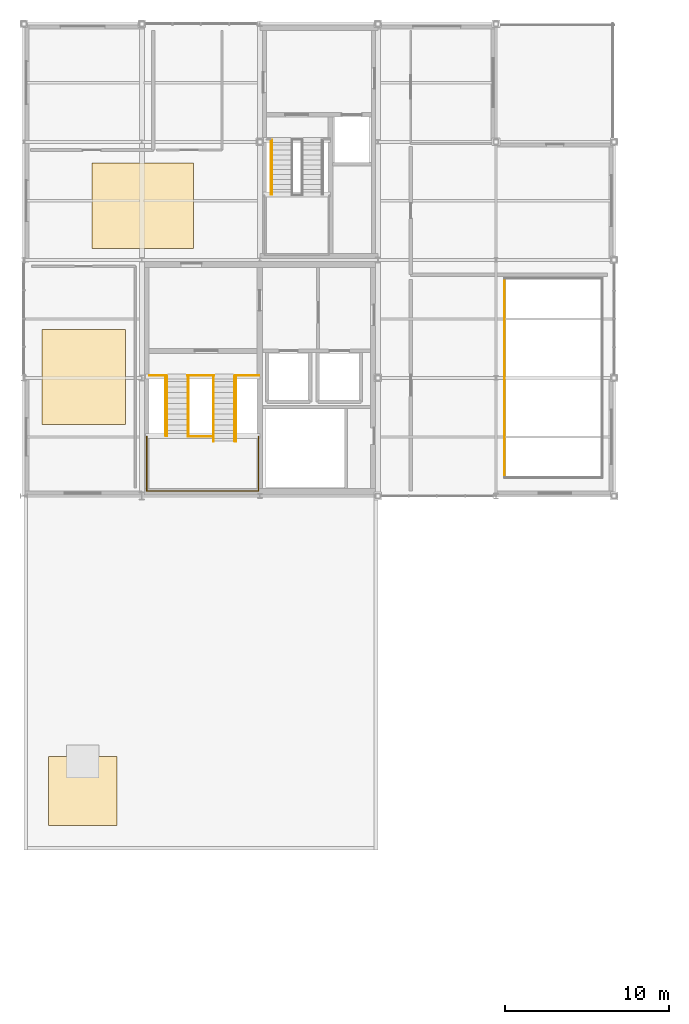
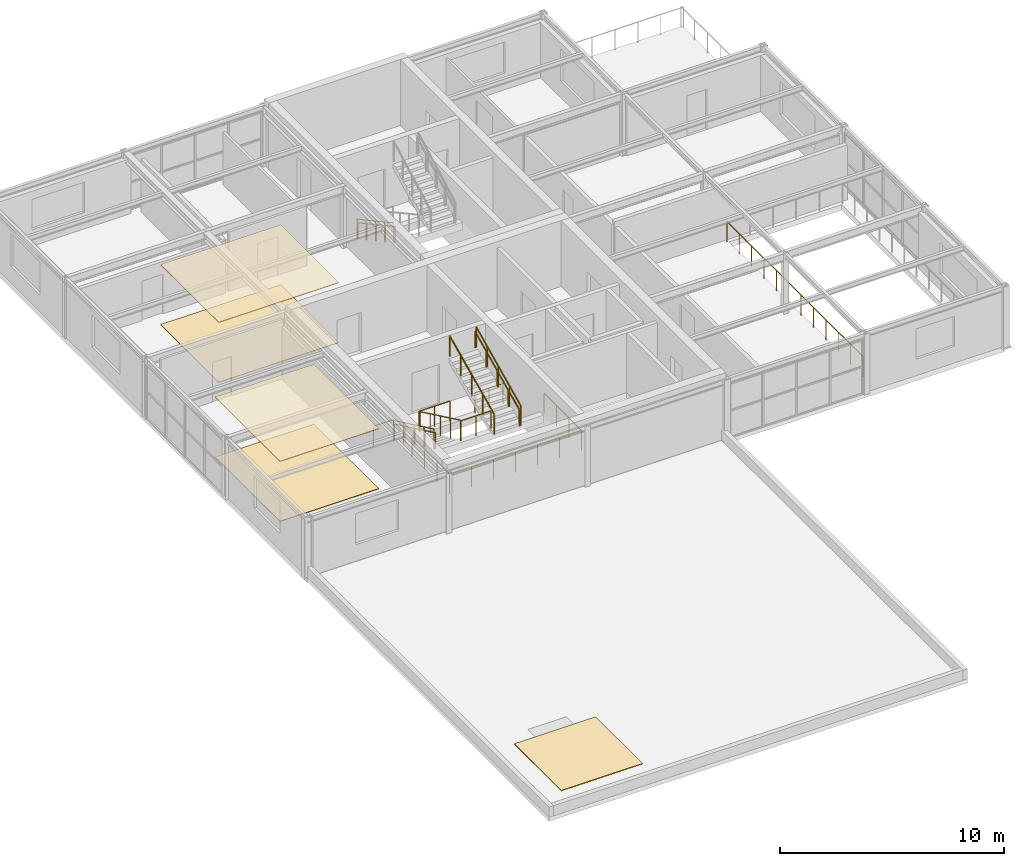
# One storey, part 20 of 22: 14 railings, 5 coverings.
"""IFC4 building model written with IfcOpenShell, lengths in metres."""

from ifc_helpers import new_model, si_unit, direction, frame, origin, origin_2d, place, context, subcontext, project, spatial, rectangle, circle, extrude, material, layer, layer_set, type_object, element, save


model = new_model("IFC4")

# Units and contexts
model_context = context("Model", 3, precision=1e-05, world=origin(), true_north=direction((0.0, 1.0)))
body_context = subcontext(model_context, "Body", "Model", "MODEL_VIEW")
ifc_project = project(units=[si_unit("LENGTHUNIT", "METRE"), si_unit("AREAUNIT", "SQUARE_METRE"), si_unit("VOLUMEUNIT", "CUBIC_METRE"), si_unit("PLANEANGLEUNIT", "RADIAN"), si_unit("MASSUNIT", "GRAM", prefix="KILO")], contexts=[model_context])

# Site, building, storey
site_placement = place(None, origin())
site = spatial("IfcSite", under=ifc_project, at=site_placement, CompositionType="ELEMENT")
building_placement = place(site_placement, origin())
building = spatial("IfcBuilding", under=site, at=building_placement, Name="Leyfeld Transit Interchange", CompositionType="ELEMENT")
storey_placement = place(building_placement, frame((0.0, 0.0, 18.0)))
storey = spatial("IfcBuildingStorey", under=building, at=storey_placement, Name="L04", CompositionType="ELEMENT", Elevation=18.0)

# Coverings
ifc_material_1 = material(Name="Austrian larch acoustic slat ceiling", Category="wood")
ifc_layer_1 = layer(ifc_material_1, 0.0400390625, Name="Austrian larch acoustic slat ceiling")
ifc_layer_set_1 = layer_set([ifc_layer_1], Name="Austrian larch acoustic slat ceiling")
covering_type_1 = type_object("IfcCoveringType", Name="COV-CLG-LRC", PredefinedType="CEILING", material=ifc_layer_set_1)
covering_1_placement = place(storey_placement, frame((7.25, 111.300048828125, 3.264892578125), z_axis=(0.0, 0.0, 1.0), x_axis=(1.0, 0.0, 0.0)))
element("IfcCovering", 1, at=covering_1_placement, inside=storey, type_object=covering_type_1, Name="Acoustic Slat Ceiling Operations Control Overlook Briefing Gallery", PredefinedType="CEILING", context=body_context, shape_type="SweptSolid", body=[
    extrude(rectangle(XDim=6.199951171875, YDim=5.199951171875, at=origin_2d()), origin(), (0.0, 0.0, 1.0), 0.0400390625),
])
covering_2_placement = place(storey_placement, frame((3.64990234375, 100.85009765625, 3.264892578125), z_axis=(0.0, 0.0, 1.0), x_axis=(1.0, 0.0, 0.0)))
element("IfcCovering", 2, at=covering_2_placement, inside=storey, type_object=covering_type_1, Name="Acoustic Slat Ceiling Interchange Management Office", PredefinedType="CEILING", context=body_context, shape_type="SweptSolid", body=[
    extrude(rectangle(XDim=5.10009765625, YDim=5.800048828125, at=origin_2d()), origin(), (0.0, 0.0, 1.0), 0.0400390625),
])
ifc_material_2 = material(Name="Polished Danube terrazzo flooring", Category="stone")
ifc_layer_2 = layer(ifc_material_2, 0.030029296875, Name="Polished Danube terrazzo flooring")
ifc_layer_set_2 = layer_set([ifc_layer_2], Name="Polished Danube terrazzo flooring")
covering_type_2 = type_object("IfcCoveringType", Name="COV-FLR-TRZ", PredefinedType="FLOORING", material=ifc_layer_set_2)
covering_3_placement = place(storey_placement, frame((7.25, 111.300048828125, 0.0), z_axis=(0.0, 0.0, 1.0), x_axis=(1.0, 0.0, 0.0)))
element("IfcCovering", 3, at=covering_3_placement, inside=storey, type_object=covering_type_2, Name="Terrazzo Flooring Operations Control Overlook Briefing Gallery", PredefinedType="FLOORING", context=body_context, shape_type="SweptSolid", body=[
    extrude(rectangle(XDim=6.199951171875, YDim=5.199951171875, at=origin_2d()), origin(), (0.0, 0.0, 1.0), 0.030029296875),
])
covering_4_placement = place(storey_placement, frame((3.64990234375, 100.85009765625, 0.0), z_axis=(0.0, 0.0, 1.0), x_axis=(1.0, 0.0, 0.0)))
element("IfcCovering", 4, at=covering_4_placement, inside=storey, type_object=covering_type_2, Name="Terrazzo Flooring Interchange Management Office", PredefinedType="FLOORING", context=body_context, shape_type="SweptSolid", body=[
    extrude(rectangle(XDim=5.10009765625, YDim=5.800048828125, at=origin_2d()), origin(), (0.0, 0.0, 1.0), 0.030029296875),
])
ifc_material_3 = material(Name="Standing-seam titanium-zinc roofing", Category="metal")
ifc_layer_3 = layer(ifc_material_3, 0.034912109375, Name="Standing-seam titanium-zinc roofing")
ifc_layer_set_3 = layer_set([ifc_layer_3], Name="Standing-seam titanium-zinc roofing")
covering_type_3 = type_object("IfcCoveringType", Name="COV-ROF-ZNC", PredefinedType="ROOFING", material=ifc_layer_set_3)
covering_5_placement = place(storey_placement, frame((3.60009765625, 75.60009765625, 0.00048828125), z_axis=(0.0, 0.0, 1.0), x_axis=(1.0, 0.0, 0.0)))
element("IfcCovering", 5, at=covering_5_placement, inside=storey, type_object=covering_type_3, Name="Zinc Roof Membrane L04 03", PredefinedType="ROOFING", context=body_context, shape_type="SweptSolid", body=[
    extrude(rectangle(XDim=4.199951171875, YDim=4.199951171875, at=origin_2d()), origin(), (0.0, 0.0, 1.0), 0.034912109375),
])

# Railings
ifc_material_4 = material(Name="Stainless steel EN 1.4404", Category="steel")
railing_type_1 = type_object("IfcRailingType", Name="RL-STR-GRD-1100", PredefinedType="GUARDRAIL", material=ifc_material_4)
railing_1_placement = place(storey_placement, frame((7.669921875, 100.949951171875, 0.0)))
element("IfcRailing", 6, at=railing_1_placement, inside=storey, type_object=railing_type_1, Name="Stair ST-01 Landing Guard FLW L04", PredefinedType="GUARDRAIL", context=body_context, shape_type="SweptSolid", body=[
    extrude(circle(Radius=0.02392578125, at=origin_2d()), frame((0.0, 0.0, 1.09619140625), z_axis=(1.0, 0.0, 0.0), x_axis=(0.0, 1.0, 0.0)), (0.0, 0.0, 1.0), 1.030029296875),
    extrude(circle(Radius=0.02099609375, at=origin_2d()), origin(), (0.0, 0.0, 1.0), 1.072021484375),
    extrude(circle(Radius=0.02099609375, at=origin_2d()), frame((1.030029296875, 0.0, 0.0)), (0.0, 0.0, 1.0), 1.072021484375),
])
railing_2_placement = place(storey_placement, frame((10.0, 100.949951171875, 0.0)))
element("IfcRailing", 7, at=railing_2_placement, inside=storey, type_object=railing_type_1, Name="Stair ST-01 Landing Guard EYE L04", PredefinedType="GUARDRAIL", context=body_context, shape_type="SweptSolid", body=[
    extrude(circle(Radius=0.02392578125, at=origin_2d()), frame((0.0, 0.0, 1.09619140625), z_axis=(1.0, 0.0, 0.0), x_axis=(0.0, 1.0, 0.0)), (0.0, 0.0, 1.0), 1.60009765625),
    extrude(circle(Radius=0.02099609375, at=origin_2d()), origin(), (0.0, 0.0, 1.0), 1.072021484375),
    extrude(circle(Radius=0.02099609375, at=origin_2d()), frame((0.800048828125, 0.0, 0.0)), (0.0, 0.0, 1.0), 1.072021484375),
    extrude(circle(Radius=0.02099609375, at=origin_2d()), frame((1.60009765625, 0.0, 0.0)), (0.0, 0.0, 1.0), 1.072021484375),
])
railing_3_placement = place(storey_placement, frame((12.89990234375, 100.949951171875, 0.0)))
element("IfcRailing", 8, at=railing_3_placement, inside=storey, type_object=railing_type_1, Name="Stair ST-01 Landing Guard FLE L04", PredefinedType="GUARDRAIL", context=body_context, shape_type="SweptSolid", body=[
    extrude(circle(Radius=0.02392578125, at=origin_2d()), frame((0.0, 0.0, 1.09619140625), z_axis=(1.0, 0.0, 0.0), x_axis=(0.0, 1.0, 0.0)), (0.0, 0.0, 1.0), 1.4501953125),
    extrude(circle(Radius=0.02099609375, at=origin_2d()), origin(), (0.0, 0.0, 1.0), 1.072021484375),
    extrude(circle(Radius=0.02099609375, at=origin_2d()), frame((0.72509765625, 0.0, 0.0)), (0.0, 0.0, 1.0), 1.072021484375),
    extrude(circle(Radius=0.02099609375, at=origin_2d()), frame((1.4501953125, 0.0, 0.0)), (0.0, 0.0, 1.0), 1.072021484375),
])
railing_4_placement = place(storey_placement, frame((10.034912109375, 97.22998046875, 1.72802734375)))
element("IfcRailing", 9, at=railing_4_placement, inside=storey, type_object=railing_type_1, Name="Stair ST-01 L04 Half-Landing Inner Guard", PredefinedType="GUARDRAIL", context=body_context, shape_type="SweptSolid", body=[
    extrude(circle(Radius=0.02392578125, at=origin_2d()), frame((0.0, 0.0, 1.09619140625), z_axis=(1.0, 0.0, 0.0), x_axis=(0.0, 1.0, 0.0)), (0.0, 0.0, 1.0), 1.530029296875),
    extrude(circle(Radius=0.02099609375, at=origin_2d()), origin(), (0.0, 0.0, 1.0), 1.072021484375),
    extrude(circle(Radius=0.02099609375, at=origin_2d()), frame((0.76513671875, 0.0, 0.0)), (0.0, 0.0, 1.0), 1.072021484375),
    extrude(circle(Radius=0.02099609375, at=origin_2d()), frame((1.530029296875, 0.0, 0.0)), (0.0, 0.0, 1.0), 1.072021484375),
])
railing_5_placement = place(storey_placement, frame((7.5048828125, 97.22998046875, 1.72802734375)))
element("IfcRailing", 10, at=railing_5_placement, inside=storey, type_object=railing_type_1, Name="Stair ST-01 L04 Half-Landing Perimeter Guard", PredefinedType="GUARDRAIL", context=body_context, shape_type="SweptSolid", body=[
    extrude(circle(Radius=0.02392578125, at=origin_2d()), frame((0.0, 0.0, 1.09619140625), z_axis=(0.0, -1.0, 0.0), x_axis=(1.0, 0.0, 0.0)), (0.0, 0.0, 1.0), 3.324951171875),
    extrude(circle(Radius=0.02392578125, at=origin_2d()), frame((0.0, -3.324951171875, 1.09619140625), z_axis=(1.0, 0.0, 0.0), x_axis=(0.0, 1.0, 0.0)), (0.0, 0.0, 1.0), 6.815185546875),
    extrude(circle(Radius=0.02392578125, at=origin_2d()), frame((6.815185546875, -3.324951171875, 1.09619140625), z_axis=(0.0, 1.0, 0.0), x_axis=(-1.0, 0.0, 0.0)), (0.0, 0.0, 1.0), 3.324951171875),
    extrude(circle(Radius=0.02099609375, at=origin_2d()), origin(), (0.0, 0.0, 1.0), 1.072021484375),
    extrude(circle(Radius=0.02099609375, at=origin_2d()), frame((0.0, -1.1083984375, 0.0)), (0.0, 0.0, 1.0), 1.072021484375),
    extrude(circle(Radius=0.02099609375, at=origin_2d()), frame((0.0, -2.216552734375, 0.0)), (0.0, 0.0, 1.0), 1.072021484375),
    extrude(circle(Radius=0.02099609375, at=origin_2d()), frame((0.0, -3.324951171875, 0.0)), (0.0, 0.0, 1.0), 1.072021484375),
    extrude(circle(Radius=0.02099609375, at=origin_2d()), frame((1.1357421875, -3.324951171875, 0.0)), (0.0, 0.0, 1.0), 1.072021484375),
    extrude(circle(Radius=0.02099609375, at=origin_2d()), frame((2.271728515625, -3.324951171875, 0.0)), (0.0, 0.0, 1.0), 1.072021484375),
    extrude(circle(Radius=0.02099609375, at=origin_2d()), frame((3.40771484375, -3.324951171875, 0.0)), (0.0, 0.0, 1.0), 1.072021484375),
    extrude(circle(Radius=0.02099609375, at=origin_2d()), frame((4.54345703125, -3.324951171875, 0.0)), (0.0, 0.0, 1.0), 1.072021484375),
    extrude(circle(Radius=0.02099609375, at=origin_2d()), frame((5.67919921875, -3.324951171875, 0.0)), (0.0, 0.0, 1.0), 1.072021484375),
    extrude(circle(Radius=0.02099609375, at=origin_2d()), frame((6.815185546875, -3.324951171875, 0.0)), (0.0, 0.0, 1.0), 1.072021484375),
    extrude(circle(Radius=0.02099609375, at=origin_2d()), frame((6.815185546875, -2.216552734375, 0.0)), (0.0, 0.0, 1.0), 1.072021484375),
    extrude(circle(Radius=0.02099609375, at=origin_2d()), frame((6.815185546875, -1.1083984375, 0.0)), (0.0, 0.0, 1.0), 1.072021484375),
    extrude(circle(Radius=0.02099609375, at=origin_2d()), frame((6.815185546875, 0.0, 0.0)), (0.0, 0.0, 1.0), 1.072021484375),
])
for number, where, name in (
    (11, (10.034912109375, 100.89990234375, 0.0), "Stair ST-01 L04 F1 Inner Guard"),
    (12, (8.6650390625, 100.89990234375, 0.0), "Stair ST-01 L04 F1 Outer Guard"),
):
    element("IfcRailing", number, at=place(storey_placement, frame(where)), inside=storey, type_object=railing_type_1, Name=name, PredefinedType="GUARDRAIL", context=body_context, shape_type="SweptSolid", body=[
        extrude(circle(Radius=0.02392578125, at=origin_2d()), frame((0.0, 0.0, 1.09619140625), z_axis=(0.0, -0.902907659174, 0.429834571673), x_axis=(1.0, 0.0, 0.0)), (0.0, 0.0, 1.0), 4.020263671875),
        extrude(circle(Radius=0.02099609375, at=origin_2d()), origin(), (0.0, 0.0, 1.0), 1.072021484375),
        extrude(circle(Radius=0.02099609375, at=origin_2d()), frame((0.0, -0.907470703125, 0.43212890625)), (0.0, 0.0, 1.0), 1.072021484375),
        extrude(circle(Radius=0.02099609375, at=origin_2d()), frame((0.0, -1.81494140625, 0.864013671875)), (0.0, 0.0, 1.0), 1.072021484375),
        extrude(circle(Radius=0.02099609375, at=origin_2d()), frame((0.0, -2.722412109375, 1.2958984375)), (0.0, 0.0, 1.0), 1.072021484375),
        extrude(circle(Radius=0.02099609375, at=origin_2d()), frame((0.0, -3.6298828125, 1.72802734375)), (0.0, 0.0, 1.0), 1.072021484375),
    ])
for number, where, name in (
    (13, (11.56494140625, 96.93994140625, 1.72802734375), "Stair ST-01 L04 F2 Inner Guard"),
    (14, (12.93505859375, 96.93994140625, 1.72802734375), "Stair ST-01 L04 F2 Outer Guard"),
):
    element("IfcRailing", number, at=place(storey_placement, frame(where)), inside=storey, type_object=railing_type_1, Name=name, PredefinedType="GUARDRAIL", context=body_context, shape_type="SweptSolid", body=[
        extrude(circle(Radius=0.02392578125, at=origin_2d()), frame((0.0, 0.0, 1.09619140625), z_axis=(0.0, 0.904064435073, 0.427396182992), x_axis=(-1.0, 0.0, 0.0)), (0.0, 0.0, 1.0), 4.380126953125),
        extrude(circle(Radius=0.02099609375, at=origin_2d()), origin(), (0.0, 0.0, 1.0), 1.072021484375),
        extrude(circle(Radius=0.02099609375, at=origin_2d()), frame((0.0, 0.989990234375, 0.468017578125)), (0.0, 0.0, 1.0), 1.072021484375),
        extrude(circle(Radius=0.02099609375, at=origin_2d()), frame((0.0, 1.97998046875, 0.93603515625)), (0.0, 0.0, 1.0), 1.072021484375),
        extrude(circle(Radius=0.02099609375, at=origin_2d()), frame((0.0, 2.969970703125, 1.404052734375)), (0.0, 0.0, 1.0), 1.072021484375),
        extrude(circle(Radius=0.02099609375, at=origin_2d()), frame((0.0, 3.9599609375, 1.8720703125)), (0.0, 0.0, 1.0), 1.072021484375),
    ])
railing_6_placement = place(storey_placement, frame((15.0849609375, 115.300048828125, 0.0)))
element("IfcRailing", 15, at=railing_6_placement, inside=storey, type_object=railing_type_1, Name="Stair ST-02 L04 F1 Outer Guard", PredefinedType="GUARDRAIL", context=body_context, shape_type="SweptSolid", body=[
    extrude(circle(Radius=0.02392578125, at=origin_2d()), frame((0.0, 0.0, 1.09619140625), z_axis=(0.0, -0.877893090839, 0.478856681124), x_axis=(1.0, 0.0, 0.0)), (0.0, 0.0, 1.0), 3.759033203125),
    extrude(circle(Radius=0.02099609375, at=origin_2d()), origin(), (0.0, 0.0, 1.0), 1.072021484375),
    extrude(circle(Radius=0.02099609375, at=origin_2d()), frame((0.0, -0.824951171875, 0.449951171875)), (0.0, 0.0, 1.0), 1.072021484375),
    extrude(circle(Radius=0.02099609375, at=origin_2d()), frame((0.0, -1.64990234375, 0.89990234375)), (0.0, 0.0, 1.0), 1.072021484375),
    extrude(circle(Radius=0.02099609375, at=origin_2d()), frame((0.0, -2.47509765625, 1.35009765625)), (0.0, 0.0, 1.0), 1.072021484375),
    extrude(circle(Radius=0.02099609375, at=origin_2d()), frame((0.0, -3.300048828125, 1.800048828125)), (0.0, 0.0, 1.0), 1.072021484375),
])
railing_7_placement = place(storey_placement, frame((29.320068359375, 106.8798828125, 0.0)))
element("IfcRailing", 16, at=railing_7_placement, inside=storey, type_object=railing_type_1, Name="Atrium Overlook Guard L04 12", PredefinedType="GUARDRAIL", context=body_context, shape_type="SweptSolid", body=[
    extrude(circle(Radius=0.02392578125, at=origin_2d()), frame((0.0, 0.0, 1.09619140625), z_axis=(0.0, -1.0, 0.0), x_axis=(1.0, 0.0, 0.0)), (0.0, 0.0, 1.0), 12.159912109375),
    extrude(circle(Radius=0.02099609375, at=origin_2d()), origin(), (0.0, 0.0, 1.0), 1.072021484375),
    extrude(circle(Radius=0.02099609375, at=origin_2d()), frame((0.0, -1.10546875, 0.0)), (0.0, 0.0, 1.0), 1.072021484375),
    extrude(circle(Radius=0.02099609375, at=origin_2d()), frame((0.0, -2.2109375, 0.0)), (0.0, 0.0, 1.0), 1.072021484375),
    extrude(circle(Radius=0.02099609375, at=origin_2d()), frame((0.0, -3.31640625, 0.0)), (0.0, 0.0, 1.0), 1.072021484375),
    extrude(circle(Radius=0.02099609375, at=origin_2d()), frame((0.0, -4.421875, 0.0)), (0.0, 0.0, 1.0), 1.072021484375),
    extrude(circle(Radius=0.02099609375, at=origin_2d()), frame((0.0, -5.52734375, 0.0)), (0.0, 0.0, 1.0), 1.072021484375),
    extrude(circle(Radius=0.02099609375, at=origin_2d()), frame((0.0, -6.632568359375, 0.0)), (0.0, 0.0, 1.0), 1.072021484375),
    extrude(circle(Radius=0.02099609375, at=origin_2d()), frame((0.0, -7.738037109375, 0.0)), (0.0, 0.0, 1.0), 1.072021484375),
    extrude(circle(Radius=0.02099609375, at=origin_2d()), frame((0.0, -8.843505859375, 0.0)), (0.0, 0.0, 1.0), 1.072021484375),
    extrude(circle(Radius=0.02099609375, at=origin_2d()), frame((0.0, -9.948974609375, 0.0)), (0.0, 0.0, 1.0), 1.072021484375),
    extrude(circle(Radius=0.02099609375, at=origin_2d()), frame((0.0, -11.054443359375, 0.0)), (0.0, 0.0, 1.0), 1.072021484375),
    extrude(circle(Radius=0.02099609375, at=origin_2d()), frame((0.0, -12.159912109375, 0.0)), (0.0, 0.0, 1.0), 1.072021484375),
])
railing_type_2 = type_object("IfcRailingType", Name="RL-STR-HND-900", PredefinedType="HANDRAIL", material=ifc_material_4)
railing_8_placement = place(storey_placement, frame((8.72509765625, 100.89990234375, 0.0)))
element("IfcRailing", 17, at=railing_8_placement, inside=storey, type_object=railing_type_2, Name="Stair ST-01 L04 F1 Handrail", PredefinedType="HANDRAIL", context=body_context, shape_type="SweptSolid", body=[
    extrude(circle(Radius=0.02392578125, at=origin_2d()), frame((0.0, 0.0, 0.8759765625), z_axis=(0.0, -0.902907659174, 0.429834571673), x_axis=(1.0, 0.0, 0.0)), (0.0, 0.0, 1.0), 4.020263671875),
    extrude(circle(Radius=0.02099609375, at=origin_2d()), origin(), (0.0, 0.0, 1.0), 0.851806640625),
    extrude(circle(Radius=0.02099609375, at=origin_2d()), frame((0.0, -0.907470703125, 0.43212890625)), (0.0, 0.0, 1.0), 0.851806640625),
    extrude(circle(Radius=0.02099609375, at=origin_2d()), frame((0.0, -1.81494140625, 0.864013671875)), (0.0, 0.0, 1.0), 0.851806640625),
    extrude(circle(Radius=0.02099609375, at=origin_2d()), frame((0.0, -2.722412109375, 1.2958984375)), (0.0, 0.0, 1.0), 0.851806640625),
    extrude(circle(Radius=0.02099609375, at=origin_2d()), frame((0.0, -3.6298828125, 1.72802734375)), (0.0, 0.0, 1.0), 0.851806640625),
])
railing_9_placement = place(storey_placement, frame((12.875, 96.93994140625, 1.72802734375)))
element("IfcRailing", 18, at=railing_9_placement, inside=storey, type_object=railing_type_2, Name="Stair ST-01 L04 F2 Handrail", PredefinedType="HANDRAIL", context=body_context, shape_type="SweptSolid", body=[
    extrude(circle(Radius=0.02392578125, at=origin_2d()), frame((0.0, 0.0, 0.8759765625), z_axis=(0.0, 0.904064435073, 0.427396182992), x_axis=(-1.0, 0.0, 0.0)), (0.0, 0.0, 1.0), 4.380126953125),
    extrude(circle(Radius=0.02099609375, at=origin_2d()), origin(), (0.0, 0.0, 1.0), 0.851806640625),
    extrude(circle(Radius=0.02099609375, at=origin_2d()), frame((0.0, 0.989990234375, 0.468017578125)), (0.0, 0.0, 1.0), 0.851806640625),
    extrude(circle(Radius=0.02099609375, at=origin_2d()), frame((0.0, 1.97998046875, 0.93603515625)), (0.0, 0.0, 1.0), 0.851806640625),
    extrude(circle(Radius=0.02099609375, at=origin_2d()), frame((0.0, 2.969970703125, 1.404052734375)), (0.0, 0.0, 1.0), 0.851806640625),
    extrude(circle(Radius=0.02099609375, at=origin_2d()), frame((0.0, 3.9599609375, 1.8720703125)), (0.0, 0.0, 1.0), 0.851806640625),
])
railing_10_placement = place(storey_placement, frame((15.14501953125, 115.300048828125, 0.0)))
element("IfcRailing", 19, at=railing_10_placement, inside=storey, type_object=railing_type_2, Name="Stair ST-02 L04 F1 Handrail", PredefinedType="HANDRAIL", context=body_context, shape_type="SweptSolid", body=[
    extrude(circle(Radius=0.02392578125, at=origin_2d()), frame((0.0, 0.0, 0.8759765625), z_axis=(0.0, -0.877893090839, 0.478856681124), x_axis=(1.0, 0.0, 0.0)), (0.0, 0.0, 1.0), 3.759033203125),
    extrude(circle(Radius=0.02099609375, at=origin_2d()), origin(), (0.0, 0.0, 1.0), 0.851806640625),
    extrude(circle(Radius=0.02099609375, at=origin_2d()), frame((0.0, -0.824951171875, 0.449951171875)), (0.0, 0.0, 1.0), 0.851806640625),
    extrude(circle(Radius=0.02099609375, at=origin_2d()), frame((0.0, -1.64990234375, 0.89990234375)), (0.0, 0.0, 1.0), 0.851806640625),
    extrude(circle(Radius=0.02099609375, at=origin_2d()), frame((0.0, -2.47509765625, 1.35009765625)), (0.0, 0.0, 1.0), 0.851806640625),
    extrude(circle(Radius=0.02099609375, at=origin_2d()), frame((0.0, -3.300048828125, 1.800048828125)), (0.0, 0.0, 1.0), 0.851806640625),
])

save(model, "model.ifc")
